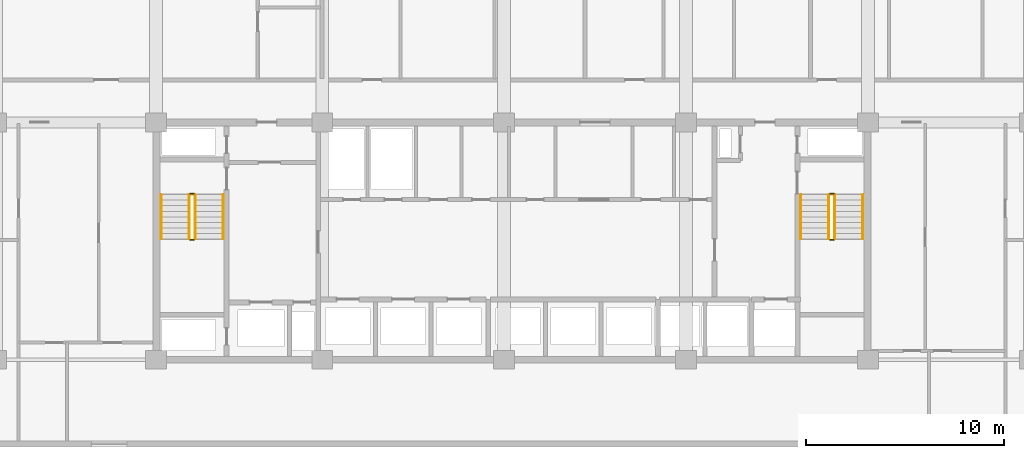
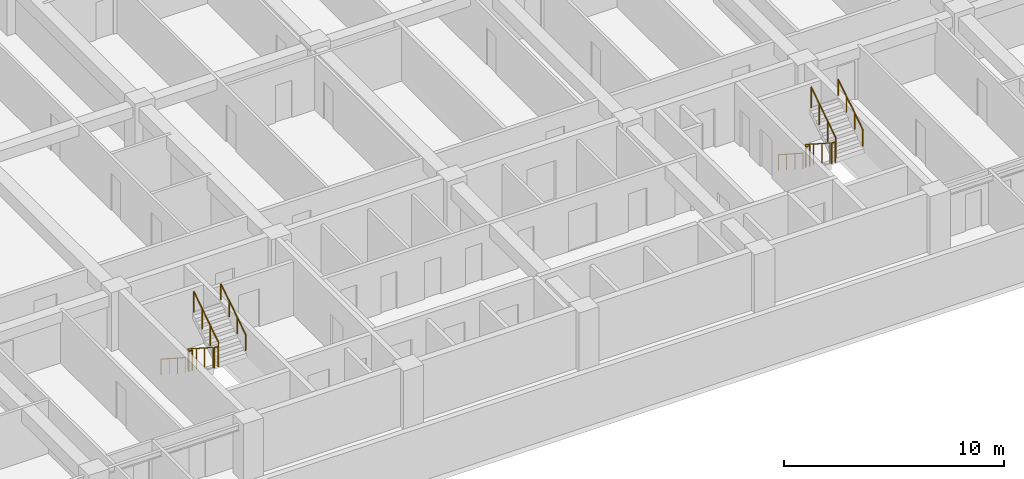
# One storey, part 22 of 23: 12 railings.
"""IFC4 building model written with IfcOpenShell, lengths in metres."""

import ifcopenshell
import ifcopenshell.guid

model = None  # the IFC model being written
_history = None  # IfcOwnerHistory: only IFC2X3 demands one
_inside = {}  # id of a spatial element -> (the spatial element, [elements in it])
_under = {}  # id of a project, library or spatial element -> (it, [spatial elements below it])
_declared = {}  # id of a project -> (the project, [libraries it declares])
_typed = {}  # id of a type object -> (the type object, [elements of that type])
_made_of = {}  # id of a material, layer set ... -> (it, [elements and type objects made of it])


def new_model(schema):
    """Start an empty IFC model of exactly this schema.

    Asked for "IFC4X3", IfcOpenShell would pick the latest addendum, in which some entities
    have other attributes; the version numbers below select the first issue.
    IFC2X3 requires an IfcOwnerHistory on every rooted entity: one is made here for all.
    """
    global model, _history
    if schema == "IFC4X3":
        model = ifcopenshell.file(schema_version=(4, 3, 0, 0))
    else:
        model = ifcopenshell.file(schema=schema)
    _inside.clear()
    _under.clear()
    _declared.clear()
    _typed.clear()
    _made_of.clear()
    _history = None
    if model.schema == "IFC2X3":
        org = make("IfcOrganization", Name="unknown")
        user = make(
            "IfcPersonAndOrganization",
            ThePerson=make("IfcPerson", FamilyName="unknown"),
            TheOrganization=org,
        )
        app = make(
            "IfcApplication",
            ApplicationDeveloper=org,
            Version="unknown",
            ApplicationFullName="unknown",
            ApplicationIdentifier="unknown",
        )
        _history = make(
            "IfcOwnerHistory",
            OwningUser=user,
            OwningApplication=app,
            ChangeAction="ADDED",
            CreationDate=0,
        )
    return model


def make(cls, **values):
    """One entity of the class cls with the attributes given. An attribute that is None is left unset."""
    return model.create_entity(
        cls, **{name: value for name, value in values.items() if value is not None}
    )


def rooted(cls, **values):
    """An entity with a GlobalId (a new one), such as an element, a storey or a relation."""
    return make(cls, GlobalId=ifcopenshell.guid.new(), OwnerHistory=_history, **values)


def si_unit(unit_type, name, prefix=None):
    """IfcSIUnit, for example si_unit("LENGTHUNIT", "METRE", prefix="MILLI")."""
    return make("IfcSIUnit", UnitType=unit_type, Prefix=prefix, Name=name)


def assignment(units):
    """IfcUnitAssignment: the units of a project."""
    return None if units is None else make("IfcUnitAssignment", Units=units)


def point(xyz):
    """IfcCartesianPoint."""
    return None if xyz is None else make("IfcCartesianPoint", Coordinates=xyz)


def direction(xyz):
    """IfcDirection."""
    return None if xyz is None else make("IfcDirection", DirectionRatios=xyz)


def frame(location, z_axis=None, x_axis=None):
    """IfcAxis2Placement3D, a coordinate frame: its origin and axes. An axis left out is left unset."""
    return make(
        "IfcAxis2Placement3D",
        Location=point(location),
        Axis=direction(z_axis),
        RefDirection=direction(x_axis),
    )


def frame_2d(location, x_axis=None):
    """IfcAxis2Placement2D, a coordinate frame in the plane: its origin and x axis."""
    return make(
        "IfcAxis2Placement2D", Location=point(location), RefDirection=direction(x_axis)
    )


def origin():
    """The frame at (0, 0, 0) with its axes left unset."""
    return frame((0.0, 0.0, 0.0))


def origin_2d():
    """The frame at (0, 0) in the plane with its x axis left unset."""
    return frame_2d((0.0, 0.0))


def place(relative_to, where):
    """IfcLocalPlacement: puts the frame where relative to a parent placement (None: the world)."""
    return make(
        "IfcLocalPlacement", PlacementRelTo=relative_to, RelativePlacement=where
    )


def context(
    kind, dimensions, precision=None, world=None, true_north=None, identifier=None
):
    """IfcGeometricRepresentationContext, for example the 3D "Model" context."""
    return make(
        "IfcGeometricRepresentationContext",
        ContextIdentifier=identifier,
        ContextType=kind,
        CoordinateSpaceDimension=dimensions,
        Precision=precision,
        WorldCoordinateSystem=world,
        TrueNorth=true_north,
    )


def subcontext(parent, identifier, kind, view, scale=None):
    """IfcGeometricRepresentationSubContext, for example "Body" below "Model"."""
    return make(
        "IfcGeometricRepresentationSubContext",
        ContextIdentifier=identifier,
        ContextType=kind,
        ParentContext=parent,
        TargetScale=scale,
        TargetView=view,
    )


def project(units=None, contexts=None):
    """IfcProject with its units and contexts."""
    return rooted(
        "IfcProject",
        Name="project",
        RepresentationContexts=contexts,
        UnitsInContext=assignment(units),
    )


def spatial(cls, under=None, at=None, **own):
    """A site, building, storey or space (cls), placed at a placement, below another one or the project."""
    s = rooted(cls, ObjectPlacement=at, **own)
    if under is not None:
        _under.setdefault(under.id(), (under, []))[1].append(s)
    return s


def profile(cls, at=None, kind="AREA", **sizes):
    """A parametric profile (cls). Its sizes go by their IFC names, for example OverallWidth=200.0."""
    return make(cls, ProfileType=kind, Position=at, **sizes)


def circle(**sizes):
    """IfcCircleProfileDef."""
    return profile("IfcCircleProfileDef", **sizes)


def extrude(swept, where, along, depth):
    """IfcExtrudedAreaSolid: the profile swept, set in the frame where, extruded along a direction by depth."""
    return make(
        "IfcExtrudedAreaSolid",
        SweptArea=swept,
        Position=where,
        ExtrudedDirection=direction(along),
        Depth=depth,
    )


def shape(context_of_items, identifier, shape_type, items):
    """IfcShapeRepresentation: the items that make up one representation, for example the "Body"."""
    return make(
        "IfcShapeRepresentation",
        ContextOfItems=context_of_items,
        RepresentationIdentifier=identifier,
        RepresentationType=shape_type,
        Items=items,
    )


def material(Name=None, Category=None):
    """IfcMaterial."""
    return make("IfcMaterial", Name=Name, Category=Category)


def made_of(thing, what):
    """Note that an element or type object is made of a material, layer set ...; save() writes the relation."""
    if what is not None:
        _made_of.setdefault(what.id(), (what, []))[1].append(thing)
    return thing


def type_object(cls, material=None, **own):
    """A type object (cls), such as IfcWallType, which elements share."""
    return made_of(rooted(cls, **own), material)


def element(
    cls,
    number,
    at=None,
    inside=None,
    cuts=None,
    type_object=None,
    material=None,
    context=None,
    identifier="Body",
    shape_type=None,
    held_by="IfcProductDefinitionShape",
    body=None,
    shapes=None,
    **own,
):
    """One element of the class cls, such as IfcWall. Its Tag is "e" and its number.

    at: its placement. inside: the storey or other place that contains it. cuts: it is an
    opening in that element (IfcRelVoidsElement). A single representation is given by context,
    identifier, shape_type and body (its items); several are given by shapes. held_by: the class
    of the entity that holds the representations. save() writes the other relations.
    """
    e = rooted(cls, Tag="e%d" % number, ObjectPlacement=at, **own)
    if body is not None:
        shapes = [shape(context, identifier, shape_type, body)]
    if shapes is not None:
        e.Representation = make(held_by, Representations=shapes)
    if inside is not None:
        _inside.setdefault(inside.id(), (inside, []))[1].append(e)
    if cuts is not None:
        rooted(
            "IfcRelVoidsElement", RelatingBuildingElement=cuts, RelatedOpeningElement=e
        )
    if type_object is not None:
        _typed.setdefault(type_object.id(), (type_object, []))[1].append(e)
    return made_of(e, material)


def aggregate(whole, parts):
    """IfcRelAggregates: a whole, such as a stair, and the parts it consists of."""
    return rooted("IfcRelAggregates", RelatingObject=whole, RelatedObjects=parts)


def save(model, path):
    """Write the relations noted so far, then the file.

    IfcRelAggregates (storeys below a building ...), IfcRelContainedInSpatialStructure (elements
    in a storey), IfcRelDefinesByType, IfcRelAssociatesMaterial and IfcRelDeclares: one each for
    every whole, place, type object, material and project.
    """
    for whole, parts in _under.values():
        aggregate(whole, parts)
    for where, things in _inside.values():
        rooted(
            "IfcRelContainedInSpatialStructure",
            RelatedElements=things,
            RelatingStructure=where,
        )
    for kind, things in _typed.values():
        rooted("IfcRelDefinesByType", RelatedObjects=things, RelatingType=kind)
    for what, things in _made_of.values():
        rooted("IfcRelAssociatesMaterial", RelatedObjects=things, RelatingMaterial=what)
    for by, libraries in _declared.values():
        rooted("IfcRelDeclares", RelatingContext=by, RelatedDefinitions=libraries)
    model.write(path)


model = new_model("IFC4")

# Units and contexts
model_context = context("Model", 3, precision=1e-05, world=origin(), true_north=direction((0.0, 1.0)))
body_context = subcontext(model_context, "Body", "Model", "MODEL_VIEW")
ifc_project = project(units=[si_unit("LENGTHUNIT", "METRE"), si_unit("AREAUNIT", "SQUARE_METRE"), si_unit("VOLUMEUNIT", "CUBIC_METRE"), si_unit("PLANEANGLEUNIT", "RADIAN"), si_unit("MASSUNIT", "GRAM", prefix="KILO")], contexts=[model_context])

# Site, building, storey
site_placement = place(None, origin())
site = spatial("IfcSite", under=ifc_project, at=site_placement, CompositionType="ELEMENT")
building_placement = place(site_placement, origin())
building = spatial("IfcBuilding", under=site, at=building_placement, Name="Korimba Cascade Residences", CompositionType="ELEMENT")
storey_placement = place(building_placement, frame((0.0, 0.0, 40.25)))
storey = spatial("IfcBuildingStorey", under=building, at=storey_placement, Name="L10", CompositionType="ELEMENT", Elevation=40.25)

# Railings
ifc_material_1 = material(Name="Painted Steel Stairwell Guardrail", Category="steel")
railing_type_1 = type_object("IfcRailingType", Name="RLG-ST-GD1150", PredefinedType="GUARDRAIL", material=ifc_material_1)
railing_1_placement = place(storey_placement, frame((77.77001953125, 63.550048828125, 0.1806640625)))
element("IfcRailing", 1, at=railing_1_placement, inside=storey, type_object=railing_type_1, Name="L10 ST-W1 stair guard 1", PredefinedType="GUARDRAIL", context=body_context, shape_type="SweptSolid", body=[
    extrude(circle(Radius=0.02392578125, at=origin_2d()), frame((0.0, 0.0, 1.1259765625), z_axis=(0.0, -0.840436612492, 0.541909863706), x_axis=(1.0, 0.0, 0.0)), (0.0, 0.0, 1.0), 2.665283203125),
    extrude(circle(Radius=0.02099609375, at=origin_2d()), origin(), (0.0, 0.0, 1.0), 1.101806640625),
    extrude(circle(Radius=0.02099609375, at=origin_2d()), frame((0.0, -0.74658203125, 0.4814453125)), (0.0, 0.0, 1.0), 1.101806640625),
    extrude(circle(Radius=0.02099609375, at=origin_2d()), frame((0.0, -1.493408203125, 0.962890625)), (0.0, 0.0, 1.0), 1.101806640625),
    extrude(circle(Radius=0.02099609375, at=origin_2d()), frame((0.0, -2.239990234375, 1.4443359375)), (0.0, 0.0, 1.0), 1.101806640625),
])
railing_2_placement = place(storey_placement, frame((77.820068359375, 61.260009765625, 1.625)))
element("IfcRailing", 2, at=railing_2_placement, inside=storey, type_object=railing_type_1, Name="L10 ST-W1 stair guard 2", PredefinedType="GUARDRAIL", context=body_context, shape_type="SweptSolid", body=[
    extrude(circle(Radius=0.02392578125, at=origin_2d()), frame((0.0, 0.0, 1.1259765625), z_axis=(1.0, 0.0, 0.0), x_axis=(0.0, 1.0, 0.0)), (0.0, 0.0, 1.0), 0.199951171875),
    extrude(circle(Radius=0.02099609375, at=origin_2d()), origin(), (0.0, 0.0, 1.0), 1.101806640625),
    extrude(circle(Radius=0.02099609375, at=origin_2d()), frame((0.199951171875, 0.0, 0.0)), (0.0, 0.0, 1.0), 1.101806640625),
])
railing_3_placement = place(storey_placement, frame((78.070068359375, 61.31005859375, 1.8056640625)))
element("IfcRailing", 3, at=railing_3_placement, inside=storey, type_object=railing_type_1, Name="L10 ST-W1 stair guard 3", PredefinedType="GUARDRAIL", context=body_context, shape_type="SweptSolid", body=[
    extrude(circle(Radius=0.02392578125, at=origin_2d()), frame((0.0, 0.0, 1.1259765625), z_axis=(0.0, 0.840436612492, 0.541909863706), x_axis=(-1.0, 0.0, 0.0)), (0.0, 0.0, 1.0), 2.665283203125),
    extrude(circle(Radius=0.02099609375, at=origin_2d()), origin(), (0.0, 0.0, 1.0), 1.101806640625),
    extrude(circle(Radius=0.02099609375, at=origin_2d()), frame((0.0, 0.74658203125, 0.4814453125)), (0.0, 0.0, 1.0), 1.101806640625),
    extrude(circle(Radius=0.02099609375, at=origin_2d()), frame((0.0, 1.493408203125, 0.962890625)), (0.0, 0.0, 1.0), 1.101806640625),
    extrude(circle(Radius=0.02099609375, at=origin_2d()), frame((0.0, 2.239990234375, 1.4443359375)), (0.0, 0.0, 1.0), 1.101806640625),
])
railing_4_placement = place(storey_placement, frame((77.820068359375, 63.60009765625, 0.0)))
element("IfcRailing", 4, at=railing_4_placement, inside=storey, type_object=railing_type_1, Name="L10 ST-W1 stair guard 4", PredefinedType="GUARDRAIL", context=body_context, shape_type="SweptSolid", body=[
    extrude(circle(Radius=0.02392578125, at=origin_2d()), frame((0.0, 0.0, 1.1259765625), z_axis=(1.0, 0.0, 0.0), x_axis=(0.0, 1.0, 0.0)), (0.0, 0.0, 1.0), 0.199951171875),
    extrude(circle(Radius=0.02099609375, at=origin_2d()), origin(), (0.0, 0.0, 1.0), 1.101806640625),
    extrude(circle(Radius=0.02099609375, at=origin_2d()), frame((0.199951171875, 0.0, 0.0)), (0.0, 0.0, 1.0), 1.101806640625),
])
railing_5_placement = place(storey_placement, frame((110.1298828125, 63.550048828125, 0.1806640625)))
element("IfcRailing", 5, at=railing_5_placement, inside=storey, type_object=railing_type_1, Name="L10 ST-W2 stair guard 1", PredefinedType="GUARDRAIL", context=body_context, shape_type="SweptSolid", body=[
    extrude(circle(Radius=0.02392578125, at=origin_2d()), frame((0.0, 0.0, 1.1259765625), z_axis=(0.0, -0.840436612492, 0.541909863706), x_axis=(1.0, 0.0, 0.0)), (0.0, 0.0, 1.0), 2.665283203125),
    extrude(circle(Radius=0.02099609375, at=origin_2d()), origin(), (0.0, 0.0, 1.0), 1.101806640625),
    extrude(circle(Radius=0.02099609375, at=origin_2d()), frame((0.0, -0.74658203125, 0.4814453125)), (0.0, 0.0, 1.0), 1.101806640625),
    extrude(circle(Radius=0.02099609375, at=origin_2d()), frame((0.0, -1.493408203125, 0.962890625)), (0.0, 0.0, 1.0), 1.101806640625),
    extrude(circle(Radius=0.02099609375, at=origin_2d()), frame((0.0, -2.239990234375, 1.4443359375)), (0.0, 0.0, 1.0), 1.101806640625),
])
railing_6_placement = place(storey_placement, frame((110.179931640625, 61.260009765625, 1.625)))
element("IfcRailing", 6, at=railing_6_placement, inside=storey, type_object=railing_type_1, Name="L10 ST-W2 stair guard 2", PredefinedType="GUARDRAIL", context=body_context, shape_type="SweptSolid", body=[
    extrude(circle(Radius=0.02392578125, at=origin_2d()), frame((0.0, 0.0, 1.1259765625), z_axis=(1.0, 0.0, 0.0), x_axis=(0.0, 1.0, 0.0)), (0.0, 0.0, 1.0), 0.199951171875),
    extrude(circle(Radius=0.02099609375, at=origin_2d()), origin(), (0.0, 0.0, 1.0), 1.101806640625),
    extrude(circle(Radius=0.02099609375, at=origin_2d()), frame((0.199951171875, 0.0, 0.0)), (0.0, 0.0, 1.0), 1.101806640625),
])
railing_7_placement = place(storey_placement, frame((110.429931640625, 61.31005859375, 1.8056640625)))
element("IfcRailing", 7, at=railing_7_placement, inside=storey, type_object=railing_type_1, Name="L10 ST-W2 stair guard 3", PredefinedType="GUARDRAIL", context=body_context, shape_type="SweptSolid", body=[
    extrude(circle(Radius=0.02392578125, at=origin_2d()), frame((0.0, 0.0, 1.1259765625), z_axis=(0.0, 0.840436612492, 0.541909863706), x_axis=(-1.0, 0.0, 0.0)), (0.0, 0.0, 1.0), 2.665283203125),
    extrude(circle(Radius=0.02099609375, at=origin_2d()), origin(), (0.0, 0.0, 1.0), 1.101806640625),
    extrude(circle(Radius=0.02099609375, at=origin_2d()), frame((0.0, 0.74658203125, 0.4814453125)), (0.0, 0.0, 1.0), 1.101806640625),
    extrude(circle(Radius=0.02099609375, at=origin_2d()), frame((0.0, 1.493408203125, 0.962890625)), (0.0, 0.0, 1.0), 1.101806640625),
    extrude(circle(Radius=0.02099609375, at=origin_2d()), frame((0.0, 2.239990234375, 1.4443359375)), (0.0, 0.0, 1.0), 1.101806640625),
])
railing_8_placement = place(storey_placement, frame((110.179931640625, 63.60009765625, 0.0)))
element("IfcRailing", 8, at=railing_8_placement, inside=storey, type_object=railing_type_1, Name="L10 ST-W2 stair guard 4", PredefinedType="GUARDRAIL", context=body_context, shape_type="SweptSolid", body=[
    extrude(circle(Radius=0.02392578125, at=origin_2d()), frame((0.0, 0.0, 1.1259765625), z_axis=(1.0, 0.0, 0.0), x_axis=(0.0, 1.0, 0.0)), (0.0, 0.0, 1.0), 0.199951171875),
    extrude(circle(Radius=0.02099609375, at=origin_2d()), origin(), (0.0, 0.0, 1.0), 1.101806640625),
    extrude(circle(Radius=0.02099609375, at=origin_2d()), frame((0.199951171875, 0.0, 0.0)), (0.0, 0.0, 1.0), 1.101806640625),
])
ifc_material_2 = material(Name="Brushed Stainless Steel Handrail", Category="steel")
railing_type_2 = type_object("IfcRailingType", Name="RLG-ST-HR900", PredefinedType="HANDRAIL", material=ifc_material_2)
railing_9_placement = place(storey_placement, frame((76.35009765625, 63.550048828125, 0.364990234375)))
element("IfcRailing", 9, at=railing_9_placement, inside=storey, type_object=railing_type_2, Name="L10 ST-W1 stair handrail 1", PredefinedType="HANDRAIL", context=body_context, shape_type="SweptSolid", body=[
    extrude(circle(Radius=0.02392578125, at=origin_2d()), frame((0.0, 0.0, 0.8759765625), z_axis=(0.0, -0.840436612492, 0.541909863706), x_axis=(1.0, 0.0, 0.0)), (0.0, 0.0, 1.0), 2.665283203125),
    extrude(circle(Radius=0.02099609375, at=origin_2d()), origin(), (0.0, 0.0, 1.0), 0.851806640625),
    extrude(circle(Radius=0.02099609375, at=origin_2d()), frame((0.0, -0.74658203125, 0.4814453125)), (0.0, 0.0, 1.0), 0.851806640625),
    extrude(circle(Radius=0.02099609375, at=origin_2d()), frame((0.0, -1.493408203125, 0.962890625)), (0.0, 0.0, 1.0), 0.851806640625),
    extrude(circle(Radius=0.02099609375, at=origin_2d()), frame((0.0, -2.239990234375, 1.4443359375)), (0.0, 0.0, 1.0), 0.851806640625),
])
railing_10_placement = place(storey_placement, frame((79.489990234375, 61.31005859375, 1.989990234375)))
element("IfcRailing", 10, at=railing_10_placement, inside=storey, type_object=railing_type_2, Name="L10 ST-W1 stair handrail 2", PredefinedType="HANDRAIL", context=body_context, shape_type="SweptSolid", body=[
    extrude(circle(Radius=0.02392578125, at=origin_2d()), frame((0.0, 0.0, 0.8759765625), z_axis=(0.0, 0.840436612492, 0.541909863706), x_axis=(-1.0, 0.0, 0.0)), (0.0, 0.0, 1.0), 2.665283203125),
    extrude(circle(Radius=0.02099609375, at=origin_2d()), origin(), (0.0, 0.0, 1.0), 0.851806640625),
    extrude(circle(Radius=0.02099609375, at=origin_2d()), frame((0.0, 0.74658203125, 0.4814453125)), (0.0, 0.0, 1.0), 0.851806640625),
    extrude(circle(Radius=0.02099609375, at=origin_2d()), frame((0.0, 1.493408203125, 0.962890625)), (0.0, 0.0, 1.0), 0.851806640625),
    extrude(circle(Radius=0.02099609375, at=origin_2d()), frame((0.0, 2.239990234375, 1.4443359375)), (0.0, 0.0, 1.0), 0.851806640625),
])
railing_11_placement = place(storey_placement, frame((108.7099609375, 63.550048828125, 0.364990234375)))
element("IfcRailing", 11, at=railing_11_placement, inside=storey, type_object=railing_type_2, Name="L10 ST-W2 stair handrail 1", PredefinedType="HANDRAIL", context=body_context, shape_type="SweptSolid", body=[
    extrude(circle(Radius=0.02392578125, at=origin_2d()), frame((0.0, 0.0, 0.8759765625), z_axis=(0.0, -0.840436612492, 0.541909863706), x_axis=(1.0, 0.0, 0.0)), (0.0, 0.0, 1.0), 2.665283203125),
    extrude(circle(Radius=0.02099609375, at=origin_2d()), origin(), (0.0, 0.0, 1.0), 0.851806640625),
    extrude(circle(Radius=0.02099609375, at=origin_2d()), frame((0.0, -0.74658203125, 0.4814453125)), (0.0, 0.0, 1.0), 0.851806640625),
    extrude(circle(Radius=0.02099609375, at=origin_2d()), frame((0.0, -1.493408203125, 0.962890625)), (0.0, 0.0, 1.0), 0.851806640625),
    extrude(circle(Radius=0.02099609375, at=origin_2d()), frame((0.0, -2.239990234375, 1.4443359375)), (0.0, 0.0, 1.0), 0.851806640625),
])
railing_12_placement = place(storey_placement, frame((111.85009765625, 61.31005859375, 1.989990234375)))
element("IfcRailing", 12, at=railing_12_placement, inside=storey, type_object=railing_type_2, Name="L10 ST-W2 stair handrail 2", PredefinedType="HANDRAIL", context=body_context, shape_type="SweptSolid", body=[
    extrude(circle(Radius=0.02392578125, at=origin_2d()), frame((0.0, 0.0, 0.8759765625), z_axis=(0.0, 0.840436612492, 0.541909863706), x_axis=(-1.0, 0.0, 0.0)), (0.0, 0.0, 1.0), 2.665283203125),
    extrude(circle(Radius=0.02099609375, at=origin_2d()), origin(), (0.0, 0.0, 1.0), 0.851806640625),
    extrude(circle(Radius=0.02099609375, at=origin_2d()), frame((0.0, 0.74658203125, 0.4814453125)), (0.0, 0.0, 1.0), 0.851806640625),
    extrude(circle(Radius=0.02099609375, at=origin_2d()), frame((0.0, 1.493408203125, 0.962890625)), (0.0, 0.0, 1.0), 0.851806640625),
    extrude(circle(Radius=0.02099609375, at=origin_2d()), frame((0.0, 2.239990234375, 1.4443359375)), (0.0, 0.0, 1.0), 0.851806640625),
])

save(model, "model.ifc")
